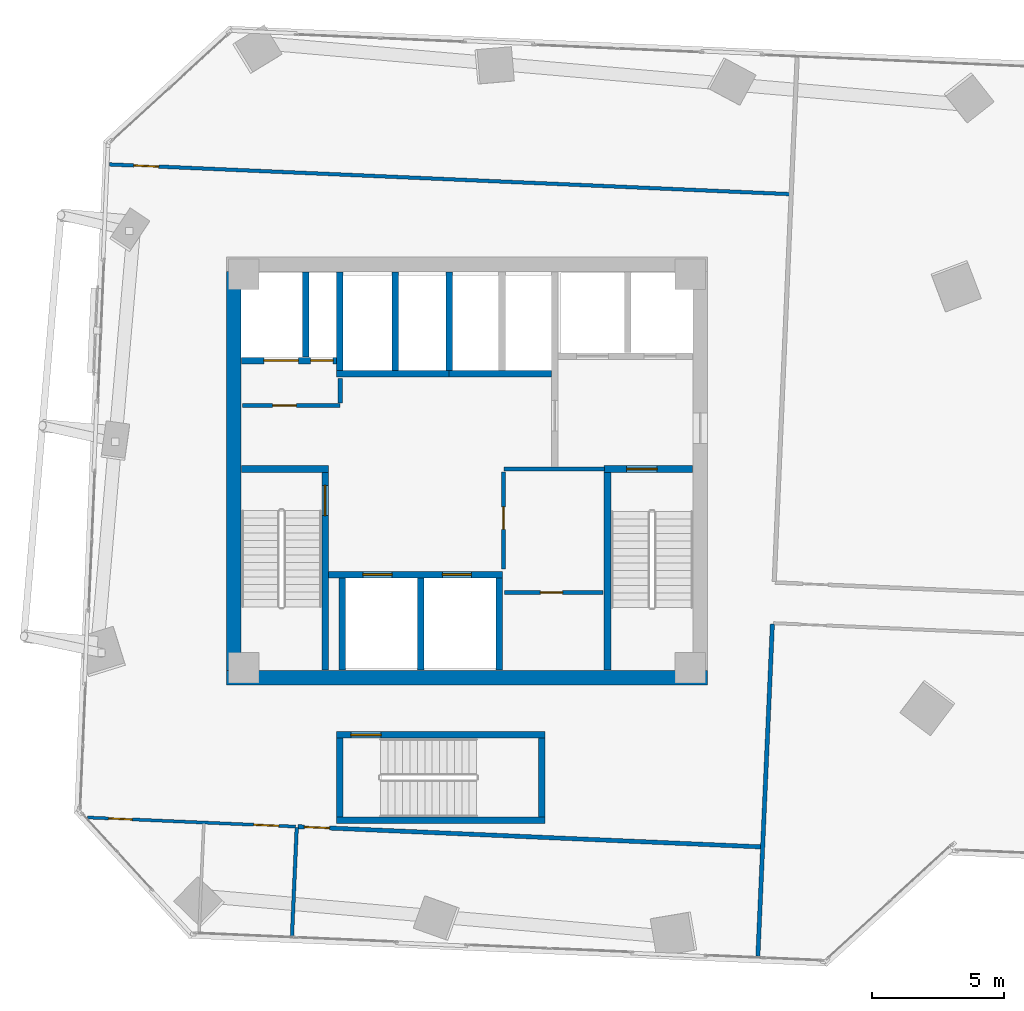
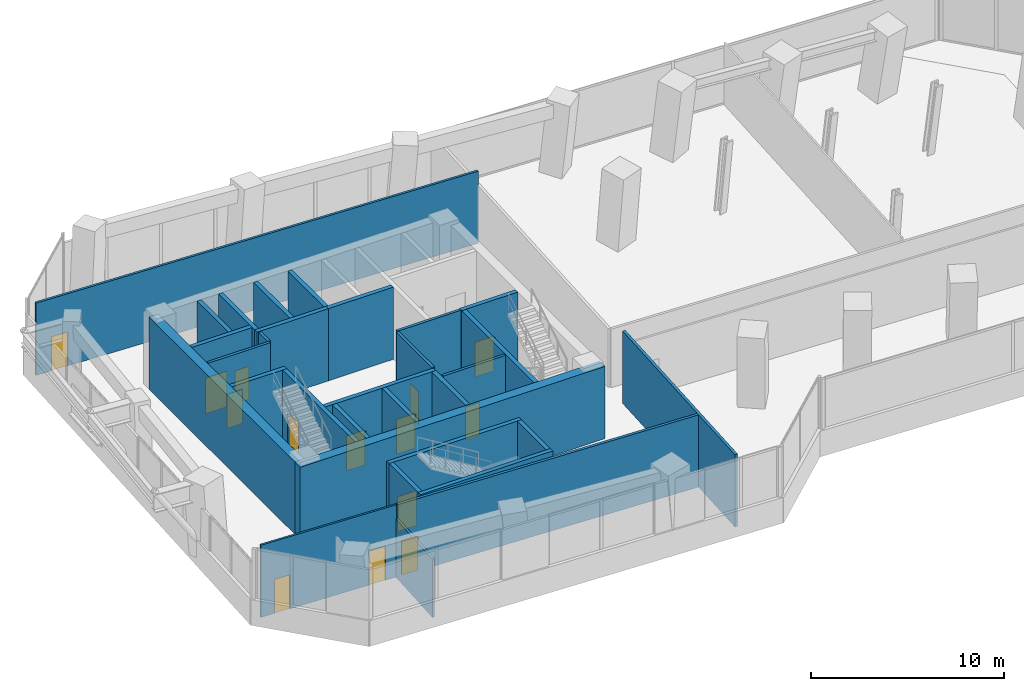
# One storey, part 22 of 26: 31 walls, 14 doors, 14 openings.
"""IFC4 building model written with IfcOpenShell, lengths in metres."""

from ifc_helpers import new_model, si_unit, direction, frame, frame_2d, origin, place, context, subcontext, project, spatial, rectangle, extrude, source, transform, mapped, material, layer, layer_set, type_object, element, fill, save


model = new_model("IFC4")

# Units and contexts
model_context = context("Model", 3, precision=1e-05, world=origin(), true_north=direction((0.0, 1.0)))
body_context = subcontext(model_context, "Body", "Model", "MODEL_VIEW")
ifc_project = project(units=[si_unit("LENGTHUNIT", "METRE"), si_unit("AREAUNIT", "SQUARE_METRE"), si_unit("VOLUMEUNIT", "CUBIC_METRE"), si_unit("PLANEANGLEUNIT", "RADIAN"), si_unit("MASSUNIT", "GRAM", prefix="KILO")], contexts=[model_context])

# Site, building, storey
site_placement = place(None, origin())
site = spatial("IfcSite", under=ifc_project, at=site_placement, CompositionType="ELEMENT")
building_placement = place(site_placement, origin())
building = spatial("IfcBuilding", under=site, at=building_placement, Name="Torre Montelarca", CompositionType="ELEMENT")
storey_placement = place(building_placement, frame((0.0, 0.0, 42.39990234375)))
storey = spatial("IfcBuildingStorey", under=building, at=storey_placement, Name="L09", CompositionType="ELEMENT", Elevation=42.39990234375)

# Wall, opening, door
ifc_material_1 = material(Name="Concrete C40/50", Category="concrete")
ifc_layer_1 = layer(ifc_material_1, 0.25, Name="Concrete C40/50", Category="concrete")
ifc_layer_set_1 = layer_set([ifc_layer_1], Name="Concrete C40/50")
wall_type_1 = type_object("IfcWallType", Name="CW-SHAFT-250", PredefinedType="SHEAR", material=ifc_layer_set_1)
wall_1_placement = place(storey_placement, frame((12.625, 24.4599609375, 0.0), z_axis=(0.0, 0.0, 1.0), x_axis=(0.0, 1.0, 0.0)))
wall_1 = element("IfcWall", 1, at=wall_1_placement, inside=storey, type_object=wall_type_1, Name="L09 Core Shear Wall SH-ST1-E", PredefinedType="SHEAR", context=body_context, shape_type="SweptSolid", body=[
    extrude(rectangle(XDim=7.489990234375, YDim=0.25, at=frame_2d((3.7451171875, 0.0))), origin(), (0.0, 0.0, 1.0), 4.56005859375),
])
opening_1_placement = place(wall_1_placement, frame((5.85009765625, 0.0, 0.0)))
opening_1 = element("IfcOpeningElement", 2, at=opening_1_placement, cuts=wall_1, Name="Opening FD-ST1", PredefinedType="OPENING", context=body_context, shape_type="SweptSolid", body=[
    extrude(rectangle(XDim=1.14990234375, YDim=2.199951171875, at=frame_2d((0.574951171875, 1.10009765625))), frame((0.0, 0.135009765625, 0.0), z_axis=(0.0, -1.0, 0.0), x_axis=(1.0, 0.0, 0.0)), (0.0, 0.0, 1.0), 0.27001953125),
])
ifc_material_2 = material(Name="Galvanized steel fire door", Category="steel")
door_type_1 = type_object("IfcDoorType", Name="DR-STAIR-115", OperationType="NOTDEFINED", PredefinedType="DOOR", material=ifc_material_2)
shared_shape_1 = source(origin(), body_context, "Body", "SweptSolid", [
    extrude(rectangle(XDim=1.14990234375, YDim=2.199951171875, at=frame_2d((0.574951171875, 1.10009765625))), frame((0.0, 0.02490234375, 0.0), z_axis=(0.0, -1.0, 0.0), x_axis=(1.0, 0.0, 0.0)), (0.0, 0.0, 1.0), 0.050048828125),
])
door_1_placement = place(opening_1_placement, origin())
door_1 = element("IfcDoor", 3, at=door_1_placement, inside=storey, type_object=door_type_1, Name="L09 Exit Stair ST1 Fire Door", OperationType="SINGLE_SWING_RIGHT", OverallHeight=2.199951171875, OverallWidth=1.14990234375, PredefinedType="DOOR", context=body_context, shape_type="MappedRepresentation", body=[
    mapped(shared_shape_1, transform((0.0, 0.0, 0.0), scale=1.0)),
])
fill(opening_1, door_1)

# Walls
wall_2_placement = place(storey_placement, frame((9.4599609375, 32.074951171875, 0.0), z_axis=(0.0, 0.0, 1.0), x_axis=(1.0, 0.0, 0.0)))
element("IfcWall", 4, at=wall_2_placement, inside=storey, type_object=wall_type_1, Name="L09 Core Shear Wall SH-ST1-N", PredefinedType="SHEAR", context=body_context, shape_type="SweptSolid", body=[
    extrude(rectangle(XDim=3.2900390625, YDim=0.25, at=frame_2d((1.64501953125, 0.0))), origin(), (0.0, 0.0, 1.0), 4.56005859375),
])
wall_3_placement = place(storey_placement, frame((23.31494140625, 24.4599609375, 0.0), z_axis=(0.0, 0.0, 1.0), x_axis=(0.0, 1.0, 0.0)))
element("IfcWall", 5, at=wall_3_placement, inside=storey, type_object=wall_type_1, Name="L09 Core Shear Wall SH-ST2-W", PredefinedType="SHEAR", context=body_context, shape_type="SweptSolid", body=[
    extrude(rectangle(XDim=7.489990234375, YDim=0.25, at=frame_2d((3.7451171875, 0.0))), origin(), (0.0, 0.0, 1.0), 4.56005859375),
])

# Wall, opening, door
wall_4_placement = place(storey_placement, frame((23.18994140625, 32.074951171875, 0.0), z_axis=(0.0, 0.0, 1.0), x_axis=(1.0, 0.0, 0.0)))
wall_4 = element("IfcWall", 6, at=wall_4_placement, inside=storey, type_object=wall_type_1, Name="L09 Core Shear Wall SH-ST2-N", PredefinedType="SHEAR", context=body_context, shape_type="SweptSolid", body=[
    extrude(rectangle(XDim=3.35009765625, YDim=0.25, at=frame_2d((1.675048828125, 0.0))), origin(), (0.0, 0.0, 1.0), 4.56005859375),
])
opening_2_placement = place(wall_4_placement, frame((0.85009765625, 0.0, 0.0)))
opening_2 = element("IfcOpeningElement", 7, at=opening_2_placement, cuts=wall_4, Name="Opening FD-ST1", PredefinedType="OPENING", context=body_context, shape_type="SweptSolid", body=[
    extrude(rectangle(XDim=1.14990234375, YDim=2.199951171875, at=frame_2d((0.574951171875, 1.10009765625))), frame((0.0, 0.135009765625, 0.0), z_axis=(0.0, -1.0, 0.0), x_axis=(1.0, 0.0, 0.0)), (0.0, 0.0, 1.0), 0.27001953125),
])
door_2_placement = place(opening_2_placement, origin())
door_2 = element("IfcDoor", 8, at=door_2_placement, inside=storey, type_object=door_type_1, Name="L09 Exit Stair ST2 Fire Door", OperationType="SINGLE_SWING_RIGHT", OverallHeight=2.199951171875, OverallWidth=1.14990234375, PredefinedType="DOOR", context=body_context, shape_type="MappedRepresentation", body=[
    mapped(shared_shape_1, transform((0.0, 0.0, 0.0), scale=1.0)),
])
fill(opening_2, door_2)

# Wall, openings, doors
wall_5_placement = place(storey_placement, frame((9.4599609375, 36.179931640625, 0.0), z_axis=(0.0, 0.0, 1.0), x_axis=(1.0, 0.0, 0.0)))
wall_5 = element("IfcWall", 9, at=wall_5_placement, inside=storey, type_object=wall_type_1, Name="L09 Core Shear Wall SH-SV1-S", PredefinedType="SHEAR", context=body_context, shape_type="SweptSolid", body=[
    extrude(rectangle(XDim=3.7900390625, YDim=0.25, at=frame_2d((1.89501953125, 0.0))), origin(), (0.0, 0.0, 1.0), 4.56005859375),
])
opening_3_placement = place(wall_5_placement, frame((2.6201171875, 0.0, 0.0)))
opening_3 = element("IfcOpeningElement", 10, at=opening_3_placement, cuts=wall_5, Name="Opening FD-085", PredefinedType="OPENING", context=body_context, shape_type="SweptSolid", body=[
    extrude(rectangle(XDim=0.85009765625, YDim=2.10009765625, at=frame_2d((0.425048828125, 1.050048828125))), frame((0.0, 0.135009765625, 0.0), z_axis=(0.0, -1.0, 0.0), x_axis=(1.0, 0.0, 0.0)), (0.0, 0.0, 1.0), 0.27001953125),
])
opening_4_placement = place(wall_5_placement, frame((0.85009765625, 0.0, 0.0)))
opening_4 = element("IfcOpeningElement", 11, at=opening_4_placement, cuts=wall_5, Name="Opening LD-130", PredefinedType="OPENING", context=body_context, shape_type="SweptSolid", body=[
    extrude(rectangle(XDim=1.300048828125, YDim=2.25, at=frame_2d((0.64990234375, 1.125))), frame((0.0, 0.135009765625, 0.0), z_axis=(0.0, -1.0, 0.0), x_axis=(1.0, 0.0, 0.0)), (0.0, 0.0, 1.0), 0.27001953125),
])
ifc_material_3 = material(Name="Steel riser access fire door", Category="steel")
door_type_2 = type_object("IfcDoorType", Name="DR-RISER-085", OperationType="NOTDEFINED", PredefinedType="DOOR", material=ifc_material_3)
shared_shape_2 = source(origin(), body_context, "Body", "SweptSolid", [
    extrude(rectangle(XDim=0.85009765625, YDim=2.10009765625, at=frame_2d((0.425048828125, 1.050048828125))), frame((0.0, 0.02490234375, 0.0), z_axis=(0.0, -1.0, 0.0), x_axis=(1.0, 0.0, 0.0)), (0.0, 0.0, 1.0), 0.050048828125),
])
door_3_placement = place(opening_3_placement, origin())
door_3 = element("IfcDoor", 12, at=door_3_placement, inside=storey, type_object=door_type_2, Name="L09 Electrical Riser Shaft Access Door", OperationType="SINGLE_SWING_RIGHT", OverallHeight=2.10009765625, OverallWidth=0.85009765625, PredefinedType="DOOR", context=body_context, shape_type="MappedRepresentation", body=[
    mapped(shared_shape_2, transform((0.0, 0.0, 0.0), scale=1.0)),
])
fill(opening_3, door_3)
ifc_material_4 = material(Name="Brushed stainless steel AISI 316", Category="steel")
door_type_3 = type_object("IfcDoorType", Name="DR-LIFT-130", OperationType="SLIDING_TO_LEFT", PredefinedType="DOOR", material=ifc_material_4)
shared_shape_3 = source(origin(), body_context, "Body", "SweptSolid", [
    extrude(rectangle(XDim=1.300048828125, YDim=2.25, at=frame_2d((0.64990234375, 1.125))), frame((0.0, 0.02490234375, 0.0), z_axis=(0.0, -1.0, 0.0), x_axis=(1.0, 0.0, 0.0)), (0.0, 0.0, 1.0), 0.050048828125),
])
door_4_placement = place(opening_4_placement, origin())
door_4 = element("IfcDoor", 13, at=door_4_placement, inside=storey, type_object=door_type_3, Name="L09 Lift Landing Sliding Door SV-1", OperationType="SLIDING_TO_LEFT", OverallHeight=2.25, OverallWidth=1.300048828125, PredefinedType="DOOR", context=body_context, shape_type="MappedRepresentation", body=[
    mapped(shared_shape_3, transform((0.0, 0.0, 0.0), scale=1.0)),
])
fill(opening_4, door_4)

# Wall
wall_6_placement = place(storey_placement, frame((11.89990234375, 36.31005859375, 0.0), z_axis=(0.0, 0.0, 1.0), x_axis=(0.0, 1.0, 0.0)))
element("IfcWall", 14, at=wall_6_placement, inside=storey, type_object=wall_type_1, Name="L09 Core Shear Wall SH-SV1-E", PredefinedType="SHEAR", context=body_context, shape_type="SweptSolid", body=[
    extrude(rectangle(XDim=3.22998046875, YDim=0.25, at=frame_2d((1.614990234375, 0.0))), origin(), (0.0, 0.0, 1.0), 4.56005859375),
])

# Wall, openings, doors
wall_7_placement = place(storey_placement, frame((12.6298828125, 28.080078125, 0.0), z_axis=(0.0, 0.0, 1.0), x_axis=(1.0, 0.0, 0.0)))
wall_7 = element("IfcWall", 15, at=wall_7_placement, inside=storey, type_object=wall_type_1, Name="L09 Core Shear Wall SH-PLL-N", PredefinedType="SHEAR", context=body_context, shape_type="SweptSolid", body=[
    extrude(rectangle(XDim=6.710205078125, YDim=0.25, at=frame_2d((3.35498046875, 0.0))), origin(), (0.0, 0.0, 1.0), 4.56005859375),
])
opening_5_placement = place(wall_7_placement, frame((1.429931640625, 0.0, 0.0)))
opening_5 = element("IfcOpeningElement", 16, at=opening_5_placement, cuts=wall_7, Name="Opening LD-110", PredefinedType="OPENING", context=body_context, shape_type="SweptSolid", body=[
    extrude(rectangle(XDim=1.10009765625, YDim=2.199951171875, at=frame_2d((0.550048828125, 1.10009765625))), frame((0.0, 0.135009765625, 0.0), z_axis=(0.0, -1.0, 0.0), x_axis=(1.0, 0.0, 0.0)), (0.0, 0.0, 1.0), 0.27001953125),
])
opening_6_placement = place(wall_7_placement, frame((4.429931640625, 0.0, 0.0)))
opening_6 = element("IfcOpeningElement", 17, at=opening_6_placement, cuts=wall_7, Name="Opening LD-110", PredefinedType="OPENING", context=body_context, shape_type="SweptSolid", body=[
    extrude(rectangle(XDim=1.10009765625, YDim=2.199951171875, at=frame_2d((0.550048828125, 1.10009765625))), frame((0.0, 0.135009765625, 0.0), z_axis=(0.0, -1.0, 0.0), x_axis=(1.0, 0.0, 0.0)), (0.0, 0.0, 1.0), 0.27001953125),
])
door_type_4 = type_object("IfcDoorType", Name="DR-LIFT-110", OperationType="SLIDING_TO_LEFT", PredefinedType="DOOR", material=ifc_material_4)
shared_shape_4 = source(origin(), body_context, "Body", "SweptSolid", [
    extrude(rectangle(XDim=1.10009765625, YDim=2.199951171875, at=frame_2d((0.550048828125, 1.10009765625))), frame((0.0, 0.02490234375, 0.0), z_axis=(0.0, -1.0, 0.0), x_axis=(1.0, 0.0, 0.0)), (0.0, 0.0, 1.0), 0.050048828125),
])
door_5_placement = place(opening_5_placement, origin())
door_5 = element("IfcDoor", 18, at=door_5_placement, inside=storey, type_object=door_type_4, Name="L09 Lift Landing Sliding Door PL-L1", OperationType="SLIDING_TO_LEFT", OverallHeight=2.199951171875, OverallWidth=1.10009765625, PredefinedType="DOOR", context=body_context, shape_type="MappedRepresentation", body=[
    mapped(shared_shape_4, transform((0.0, 0.0, 0.0), scale=1.0)),
])
fill(opening_5, door_5)
door_6_placement = place(opening_6_placement, origin())
door_6 = element("IfcDoor", 19, at=door_6_placement, inside=storey, type_object=door_type_4, Name="L09 Lift Landing Sliding Door PL-L2", OperationType="SLIDING_TO_RIGHT", OverallHeight=2.199951171875, OverallWidth=1.10009765625, PredefinedType="DOOR", context=body_context, shape_type="MappedRepresentation", body=[
    mapped(shared_shape_4, transform((0.0, 0.0, 0.0), scale=1.0)),
])
fill(opening_6, door_6)

# Walls
for number, where, z_axis, x_axis, name in (
    (20, (13.280029296875, 24.4599609375, 0.0), (0.0, 0.0, 1.0), (0.0, 1.0, 0.0), "L09 Core Shear Wall SH-PLL-W"),
    (21, (16.25, 24.4599609375, 0.0), (0.0, 0.0, 1.0), (0.0, 1.0, 0.0), "L09 Core Shear Wall SH-PLL-M"),
    (22, (19.219970703125, 24.4599609375, 0.0), (0.0, 0.0, 1.0), (0.0, 1.0, 0.0), "L09 Core Shear Wall SH-PLL-E"),
):
    element("IfcWall", number, at=place(storey_placement, frame(where, z_axis=z_axis, x_axis=x_axis)), inside=storey, type_object=wall_type_1, Name=name, PredefinedType="SHEAR", context=body_context, shape_type="SweptSolid", body=[
        extrude(rectangle(XDim=3.489990234375, YDim=0.25, at=frame_2d((1.7451171875, 0.0))), origin(), (0.0, 0.0, 1.0), 4.56005859375),
    ])
wall_8_placement = place(storey_placement, frame((13.06005859375, 35.679931640625, 0.0), z_axis=(0.0, 0.0, 1.0), x_axis=(1.0, 0.0, 0.0)))
element("IfcWall", 23, at=wall_8_placement, inside=storey, type_object=wall_type_1, Name="L09 Core Shear Wall SH-PLM-S", PredefinedType="SHEAR", context=body_context, shape_type="SweptSolid", body=[
    extrude(rectangle(XDim=4.25, YDim=0.25, at=frame_2d((2.125, 0.0))), origin(), (0.0, 0.0, 1.0), 4.56005859375),
])
for number, where, z_axis, x_axis, name in (
    (24, (13.179931640625, 35.81005859375, 0.0), (0.0, 0.0, 1.0), (0.0, 1.0, 0.0), "L09 Core Shear Wall SH-PLM-W"),
    (25, (15.280029296875, 35.81005859375, 0.0), (0.0, 0.0, 1.0), (0.0, 1.0, 0.0), "L09 Core Shear Wall SH-PLM-M"),
):
    element("IfcWall", number, at=place(storey_placement, frame(where, z_axis=z_axis, x_axis=x_axis)), inside=storey, type_object=wall_type_1, Name=name, PredefinedType="SHEAR", context=body_context, shape_type="SweptSolid", body=[
        extrude(rectangle(XDim=3.72998046875, YDim=0.25, at=frame_2d((1.864990234375, 0.0))), origin(), (0.0, 0.0, 1.0), 4.56005859375),
    ])
wall_9_placement = place(storey_placement, frame((17.320068359375, 35.679931640625, 0.0), z_axis=(0.0, 0.0, 1.0), x_axis=(1.0, 0.0, 0.0)))
element("IfcWall", 26, at=wall_9_placement, inside=storey, type_object=wall_type_1, Name="L09 Core Shear Wall SH-PLH-S", PredefinedType="SHEAR", context=body_context, shape_type="SweptSolid", body=[
    extrude(rectangle(XDim=3.869873046875, YDim=0.25, at=frame_2d((1.93505859375, 0.0))), origin(), (0.0, 0.0, 1.0), 4.56005859375),
])
wall_10_placement = place(storey_placement, frame((17.320068359375, 35.81005859375, 0.0), z_axis=(0.0, 0.0, 1.0), x_axis=(0.0, 1.0, 0.0)))
element("IfcWall", 27, at=wall_10_placement, inside=storey, type_object=wall_type_1, Name="L09 Core Shear Wall SH-PLH-W", PredefinedType="SHEAR", context=body_context, shape_type="SweptSolid", body=[
    extrude(rectangle(XDim=3.72998046875, YDim=0.25, at=frame_2d((1.864990234375, 0.0))), origin(), (0.0, 0.0, 1.0), 4.56005859375),
])
for number, where, z_axis, x_axis, name in (
    (28, (13.175048828125, 18.89990234375, 0.0), (0.0, 0.0, 1.0), (0.0, 1.0, 0.0), "L09 Core Shear Wall SH-ST3-W"),
    (29, (20.824951171875, 18.89990234375, 0.0), (0.0, 0.0, 1.0), (0.0, 1.0, 0.0), "L09 Core Shear Wall SH-ST3-E"),
):
    element("IfcWall", number, at=place(storey_placement, frame(where, z_axis=z_axis, x_axis=x_axis)), inside=storey, type_object=wall_type_1, Name=name, PredefinedType="SHEAR", context=body_context, shape_type="SweptSolid", body=[
        extrude(rectangle(XDim=2.989990234375, YDim=0.25, at=frame_2d((1.4951171875, 0.0))), origin(), (0.0, 0.0, 1.0), 4.56005859375),
    ])
wall_11_placement = place(storey_placement, frame((13.050048828125, 18.77490234375, 0.0), z_axis=(0.0, 0.0, 1.0), x_axis=(1.0, 0.0, 0.0)))
element("IfcWall", 30, at=wall_11_placement, inside=storey, type_object=wall_type_1, Name="L09 Core Shear Wall SH-ST3-S", PredefinedType="SHEAR", context=body_context, shape_type="SweptSolid", body=[
    extrude(rectangle(XDim=7.89990234375, YDim=0.25, at=frame_2d((3.949951171875, 0.0))), origin(), (0.0, 0.0, 1.0), 4.56005859375),
])

# Wall, opening, door
wall_12_placement = place(storey_placement, frame((13.050048828125, 22.014892578125, 0.0), z_axis=(0.0, 0.0, 1.0), x_axis=(1.0, 0.0, 0.0)))
wall_12 = element("IfcWall", 31, at=wall_12_placement, inside=storey, type_object=wall_type_1, Name="L09 Core Shear Wall SH-ST3-N", PredefinedType="SHEAR", context=body_context, shape_type="SweptSolid", body=[
    extrude(rectangle(XDim=7.89990234375, YDim=0.25, at=frame_2d((3.949951171875, 0.0))), origin(), (0.0, 0.0, 1.0), 4.56005859375),
])
opening_7_placement = place(wall_12_placement, frame((0.550048828125, 0.0, 0.0)))
opening_7 = element("IfcOpeningElement", 32, at=opening_7_placement, cuts=wall_12, Name="Opening FD-ST1", PredefinedType="OPENING", context=body_context, shape_type="SweptSolid", body=[
    extrude(rectangle(XDim=1.14990234375, YDim=2.199951171875, at=frame_2d((0.574951171875, 1.10009765625))), frame((0.0, 0.135009765625, 0.0), z_axis=(0.0, -1.0, 0.0), x_axis=(1.0, 0.0, 0.0)), (0.0, 0.0, 1.0), 0.27001953125),
])
door_7_placement = place(opening_7_placement, origin())
door_7 = element("IfcDoor", 33, at=door_7_placement, inside=storey, type_object=door_type_1, Name="L09 Exit Stair ST3 Fire Door", OperationType="SINGLE_SWING_LEFT", OverallHeight=2.199951171875, OverallWidth=1.14990234375, PredefinedType="DOOR", context=body_context, shape_type="MappedRepresentation", body=[
    mapped(shared_shape_1, transform((0.0, 0.0, 0.0), scale=1.0)),
])
fill(opening_7, door_7)

# Walls
ifc_material_5 = material(Name="Concrete C70/85", Category="concrete")
ifc_layer_2 = layer(ifc_material_5, 0.550048828125, Name="Concrete C70/85", Category="concrete")
ifc_layer_set_2 = layer_set([ifc_layer_2], Name="Concrete C70/85")
wall_type_2 = type_object("IfcWallType", Name="CW-SHEAR-550", PredefinedType="SHEAR", material=ifc_layer_set_2)
wall_13_placement = place(storey_placement, frame((9.175048828125, 24.449951171875, 0.0), z_axis=(0.0, 0.0, 1.0), x_axis=(0.0, 1.0, 0.0)))
element("IfcWall", 34, at=wall_13_placement, inside=storey, type_object=wall_type_2, Name="L09 Core Shear Wall CW-W", PredefinedType="SHEAR", context=body_context, shape_type="SweptSolid", body=[
    extrude(rectangle(XDim=15.10009765625, YDim=0.550048828125, at=frame_2d((7.550048828125, 0.0))), origin(), (0.0, 0.0, 1.0), 4.56005859375),
])
wall_14_placement = place(storey_placement, frame((8.89990234375, 24.175048828125, 0.0), z_axis=(0.0, 0.0, 1.0), x_axis=(1.0, 0.0, 0.0)))
element("IfcWall", 35, at=wall_14_placement, inside=storey, type_object=wall_type_2, Name="L09 Core Shear Wall CW-S1", PredefinedType="SHEAR", context=body_context, shape_type="SweptSolid", body=[
    extrude(rectangle(XDim=18.2001953125, YDim=0.550048828125, at=frame_2d((9.10009765625, 0.0))), origin(), (0.0, 0.0, 1.0), 4.56005859375),
])

# Wall, opening, door
ifc_material_6 = material(Name="Gypsum plasterboard on steel stud", Category="steel")
ifc_layer_3 = layer(ifc_material_6, 0.159912109375, Name="Gypsum plasterboard on steel stud", Category="steel")
ifc_layer_set_3 = layer_set([ifc_layer_3], Name="Gypsum plasterboard on steel stud")
wall_type_3 = type_object("IfcWallType", Name="PW-FIRE-160", PredefinedType="PARTITIONING", material=ifc_layer_set_3)
wall_15_placement = place(storey_placement, frame((9.489990234375, 34.47998046875, 0.0), z_axis=(0.0, 0.0, 1.0), x_axis=(1.0, 0.0, 0.0)))
wall_15 = element("IfcWall", 36, at=wall_15_placement, inside=storey, type_object=wall_type_3, Name="L09 Interior Partition CW-L09-SVS", PredefinedType="PARTITIONING", context=body_context, shape_type="SweptSolid", body=[
    extrude(rectangle(XDim=3.699951171875, YDim=0.159912109375, at=frame_2d((1.85009765625, 0.0))), origin(), (0.0, 0.0, 1.0), 4.56005859375),
])
opening_8_placement = place(wall_15_placement, frame((1.14990234375, 0.0, 0.0)))
opening_8 = element("IfcOpeningElement", 37, at=opening_8_placement, cuts=wall_15, Name="Opening FD-090", PredefinedType="OPENING", context=body_context, shape_type="SweptSolid", body=[
    extrude(rectangle(XDim=0.89990234375, YDim=2.14990234375, at=frame_2d((0.449951171875, 1.074951171875))), frame((0.0, 0.08984375, 0.0), z_axis=(0.0, -1.0, 0.0), x_axis=(1.0, 0.0, 0.0)), (0.0, 0.0, 1.0), 0.179931640625),
])
ifc_material_7 = material(Name="Steel service fire door", Category="steel")
door_type_5 = type_object("IfcDoorType", Name="DR-FIRE-090", OperationType="NOTDEFINED", PredefinedType="DOOR", material=ifc_material_7)
shared_shape_5 = source(origin(), body_context, "Body", "SweptSolid", [
    extrude(rectangle(XDim=0.89990234375, YDim=2.14990234375, at=frame_2d((0.449951171875, 1.074951171875))), frame((0.0, 0.02490234375, 0.0), z_axis=(0.0, -1.0, 0.0), x_axis=(1.0, 0.0, 0.0)), (0.0, 0.0, 1.0), 0.050048828125),
])
door_8_placement = place(opening_8_placement, origin())
door_8 = element("IfcDoor", 38, at=door_8_placement, inside=storey, type_object=door_type_5, Name="L09 Interior Door 01", OperationType="SINGLE_SWING_RIGHT", OverallHeight=2.14990234375, OverallWidth=0.89990234375, PredefinedType="DOOR", context=body_context, shape_type="MappedRepresentation", body=[
    mapped(shared_shape_5, transform((0.0, 0.0, 0.0), scale=1.0)),
])
fill(opening_8, door_8)

# Walls
wall_16_placement = place(storey_placement, frame((13.199951171875, 34.570068359375, 0.0), z_axis=(0.0, 0.0, 1.0), x_axis=(0.0, 1.0, 0.0)))
element("IfcWall", 39, at=wall_16_placement, inside=storey, type_object=wall_type_3, Name="L09 Interior Partition CW-L09-SVE", PredefinedType="PARTITIONING", context=body_context, shape_type="SweptSolid", body=[
    extrude(rectangle(XDim=0.93994140625, YDim=0.159912109375, at=frame_2d((0.469970703125, 0.0))), origin(), (0.0, 0.0, 1.0), 4.56005859375),
])
wall_17_placement = place(storey_placement, frame((19.389892578125, 32.080078125, 0.0), z_axis=(0.0, 0.0, 1.0), x_axis=(1.0, 0.0, 0.0)))
element("IfcWall", 40, at=wall_17_placement, inside=storey, type_object=wall_type_3, Name="L09 Interior Partition CW-L09-SEN", PredefinedType="PARTITIONING", context=body_context, shape_type="SweptSolid", body=[
    extrude(rectangle(XDim=3.820068359375, YDim=0.159912109375, at=frame_2d((1.91015625, 0.0))), origin(), (0.0, 0.0, 1.0), 4.56005859375),
])

# Wall, opening, door
wall_18_placement = place(storey_placement, frame((19.3798828125, 28.2900390625, 0.0), z_axis=(0.0, 0.0, 1.0), x_axis=(0.0, 1.0, 0.0)))
wall_18 = element("IfcWall", 41, at=wall_18_placement, inside=storey, type_object=wall_type_3, Name="L09 Interior Partition CW-L09-SEW", PredefinedType="PARTITIONING", context=body_context, shape_type="SweptSolid", body=[
    extrude(rectangle(XDim=3.669921875, YDim=0.159912109375, at=frame_2d((1.8349609375, 0.0))), origin(), (0.0, 0.0, 1.0), 4.56005859375),
])
opening_9_placement = place(wall_18_placement, frame((1.5, 0.0, 0.0)))
opening_9 = element("IfcOpeningElement", 42, at=opening_9_placement, cuts=wall_18, Name="Opening FD-085", PredefinedType="OPENING", context=body_context, shape_type="SweptSolid", body=[
    extrude(rectangle(XDim=0.85009765625, YDim=2.10009765625, at=frame_2d((0.425048828125, 1.050048828125))), frame((0.0, 0.08984375, 0.0), z_axis=(0.0, -1.0, 0.0), x_axis=(1.0, 0.0, 0.0)), (0.0, 0.0, 1.0), 0.179931640625),
])
door_9_placement = place(opening_9_placement, origin())
door_9 = element("IfcDoor", 43, at=door_9_placement, inside=storey, type_object=door_type_2, Name="L09 Interior Door 03", OperationType="SINGLE_SWING_RIGHT", OverallHeight=2.10009765625, OverallWidth=0.85009765625, PredefinedType="DOOR", context=body_context, shape_type="MappedRepresentation", body=[
    mapped(shared_shape_2, transform((0.0, 0.0, 0.0), scale=1.0)),
])
fill(opening_9, door_9)

wall_19_placement = place(storey_placement, frame((19.419921875, 27.39990234375, 0.0), z_axis=(0.0, 0.0, 1.0), x_axis=(1.0, 0.0, 0.0)))
wall_19 = element("IfcWall", 44, at=wall_19_placement, inside=storey, type_object=wall_type_3, Name="L09 Interior Partition CW-L09-SEM1", PredefinedType="PARTITIONING", context=body_context, shape_type="SweptSolid", body=[
    extrude(rectangle(XDim=3.719970703125, YDim=0.159912109375, at=frame_2d((1.85986328125, 0.0))), origin(), (0.0, 0.0, 1.0), 4.56005859375),
])
opening_10_placement = place(wall_19_placement, frame((1.35009765625, 0.0, 0.0)))
opening_10 = element("IfcOpeningElement", 45, at=opening_10_placement, cuts=wall_19, Name="Opening FD-085", PredefinedType="OPENING", context=body_context, shape_type="SweptSolid", body=[
    extrude(rectangle(XDim=0.85009765625, YDim=2.10009765625, at=frame_2d((0.425048828125, 1.050048828125))), frame((0.0, 0.08984375, 0.0), z_axis=(0.0, -1.0, 0.0), x_axis=(1.0, 0.0, 0.0)), (0.0, 0.0, 1.0), 0.179931640625),
])
door_10_placement = place(opening_10_placement, origin())
door_10 = element("IfcDoor", 46, at=door_10_placement, inside=storey, type_object=door_type_2, Name="L09 Interior Door 02", OperationType="SINGLE_SWING_LEFT", OverallHeight=2.10009765625, OverallWidth=0.85009765625, PredefinedType="DOOR", context=body_context, shape_type="MappedRepresentation", body=[
    mapped(shared_shape_2, transform((0.0, 0.0, 0.0), scale=1.0)),
])
fill(opening_10, door_10)

wall_20_placement = place(storey_placement, frame((11.593505859375, 18.539306640625, 0.0), z_axis=(0.0, 0.0, 1.0), x_axis=(0.999048303008, -0.043617522367, 0.0)))
wall_20 = element("IfcWall", 47, at=wall_20_placement, inside=storey, type_object=wall_type_3, Name="L09 Interior Partition W-L09-SOCCN", PredefinedType="PARTITIONING", context=body_context, shape_type="SweptSolid", body=[
    extrude(rectangle(XDim=17.56982421875, YDim=0.159912109375, at=frame_2d((8.784912109375, 0.0))), origin(), (0.0, 0.0, 1.0), 4.56005859375),
])
opening_11_placement = place(wall_20_placement, frame((0.25, 0.0, 0.0)))
opening_11 = element("IfcOpeningElement", 48, at=opening_11_placement, cuts=wall_20, Name="Opening FD-095", PredefinedType="OPENING", context=body_context, shape_type="SweptSolid", body=[
    extrude(rectangle(XDim=0.949951171875, YDim=2.14990234375, at=frame_2d((0.47509765625, 1.074951171875))), frame((0.0, 0.08984375, 0.0), z_axis=(0.0, -1.0, 0.0), x_axis=(1.0, 0.0, 0.0)), (0.0, 0.0, 1.0), 0.179931640625),
])
ifc_material_8 = material(Name="Timber fire-rated room door", Category="wood")
door_type_6 = type_object("IfcDoorType", Name="DR-FIRE-095", OperationType="NOTDEFINED", PredefinedType="DOOR", material=ifc_material_8)
shared_shape_6 = source(origin(), body_context, "Body", "SweptSolid", [
    extrude(rectangle(XDim=0.949951171875, YDim=2.14990234375, at=frame_2d((0.47509765625, 1.074951171875))), frame((0.0, 0.02490234375, 0.0), z_axis=(0.0, -1.0, 0.0), x_axis=(1.0, 0.0, 0.0)), (0.0, 0.0, 1.0), 0.050048828125),
])
door_11_placement = place(opening_11_placement, origin())
door_11 = element("IfcDoor", 49, at=door_11_placement, inside=storey, type_object=door_type_6, Name="L09 Interior Door 06", OperationType="SINGLE_SWING_RIGHT", OverallHeight=2.14990234375, OverallWidth=0.949951171875, PredefinedType="DOOR", context=body_context, shape_type="MappedRepresentation", body=[
    mapped(shared_shape_6, transform((0.0, 0.0, 0.0), scale=1.0)),
])
fill(opening_11, door_11)

# Wall
wall_21_placement = place(storey_placement, frame((29.006103515625, 13.635009765625, 0.0), z_axis=(0.0, 0.0, 1.0), x_axis=(0.043626715414, 0.999047901605, 0.0)))
element("IfcWall", 50, at=wall_21_placement, inside=storey, type_object=wall_type_3, Name="L09 Interior Partition W-L09-ECS", PredefinedType="PARTITIONING", context=body_context, shape_type="SweptSolid", body=[
    extrude(rectangle(XDim=12.580078125, YDim=0.159912109375, at=frame_2d((6.2900390625, 0.0))), origin(), (0.0, 0.0, 1.0), 4.56005859375),
])

# Wall, openings, doors
ifc_layer_4 = layer(ifc_material_6, 0.114990234375, Name="Gypsum plasterboard on steel stud", Category="steel")
ifc_layer_set_4 = layer_set([ifc_layer_4], Name="Gypsum plasterboard on steel stud")
wall_type_4 = type_object("IfcWallType", Name="PW-PART-115", PredefinedType="PARTITIONING", material=ifc_layer_set_4)
wall_22_placement = place(storey_placement, frame((3.62890625, 18.88720703125, 0.0), z_axis=(0.0, 0.0, 1.0), x_axis=(0.999046913697, -0.043649332566, 0.0)))
wall_22 = element("IfcWall", 51, at=wall_22_placement, inside=storey, type_object=wall_type_4, Name="L09 Interior Partition W-L09-WCN", PredefinedType="PARTITIONING", context=body_context, shape_type="SweptSolid", body=[
    extrude(rectangle(XDim=7.89208984375, YDim=0.114990234375, at=frame_2d((3.946044921875, 0.0))), origin(), (0.0, 0.0, 1.0), 4.56005859375),
])
opening_12_placement = place(wall_22_placement, frame((0.800048828125, 0.0, 0.0)))
opening_12 = element("IfcOpeningElement", 52, at=opening_12_placement, cuts=wall_22, Name="Opening ID-090", PredefinedType="OPENING", context=body_context, shape_type="SweptSolid", body=[
    extrude(rectangle(XDim=0.89990234375, YDim=2.14990234375, at=frame_2d((0.449951171875, 1.074951171875))), frame((0.0, 0.0673828125, 0.0), z_axis=(0.0, -1.0, 0.0), x_axis=(1.0, 0.0, 0.0)), (0.0, 0.0, 1.0), 0.135009765625),
])
opening_13_placement = place(wall_22_placement, frame((6.300048828125, 0.0, 0.0)))
opening_13 = element("IfcOpeningElement", 53, at=opening_13_placement, cuts=wall_22, Name="Opening ID-095", PredefinedType="OPENING", context=body_context, shape_type="SweptSolid", body=[
    extrude(rectangle(XDim=0.949951171875, YDim=2.14990234375, at=frame_2d((0.47509765625, 1.074951171875))), frame((0.0, 0.0673828125, 0.0), z_axis=(0.0, -1.0, 0.0), x_axis=(1.0, 0.0, 0.0)), (0.0, 0.0, 1.0), 0.135009765625),
])
ifc_material_9 = material(Name="Hardwood acoustic timber veneer", Category="wood")
door_type_7 = type_object("IfcDoorType", Name="DR-INT-090", OperationType="NOTDEFINED", PredefinedType="DOOR", material=ifc_material_9)
shared_shape_7 = source(origin(), body_context, "Body", "SweptSolid", [
    extrude(rectangle(XDim=0.89990234375, YDim=2.14990234375, at=frame_2d((0.449951171875, 1.074951171875))), frame((0.0, 0.02490234375, 0.0), z_axis=(0.0, -1.0, 0.0), x_axis=(1.0, 0.0, 0.0)), (0.0, 0.0, 1.0), 0.050048828125),
])
door_12_placement = place(opening_12_placement, origin())
door_12 = element("IfcDoor", 54, at=door_12_placement, inside=storey, type_object=door_type_7, Name="L09 Interior Door 04", OperationType="SINGLE_SWING_LEFT", OverallHeight=2.14990234375, OverallWidth=0.89990234375, PredefinedType="DOOR", context=body_context, shape_type="MappedRepresentation", body=[
    mapped(shared_shape_7, transform((0.0, 0.0, 0.0), scale=1.0)),
])
fill(opening_12, door_12)
door_type_8 = type_object("IfcDoorType", Name="DR-INT-095", OperationType="NOTDEFINED", PredefinedType="DOOR", material=ifc_material_9)
shared_shape_8 = source(origin(), body_context, "Body", "SweptSolid", [
    extrude(rectangle(XDim=0.949951171875, YDim=2.14990234375, at=frame_2d((0.47509765625, 1.074951171875))), frame((0.0, 0.02490234375, 0.0), z_axis=(0.0, -1.0, 0.0), x_axis=(1.0, 0.0, 0.0)), (0.0, 0.0, 1.0), 0.050048828125),
])
door_13_placement = place(opening_13_placement, origin())
door_13 = element("IfcDoor", 55, at=door_13_placement, inside=storey, type_object=door_type_8, Name="L09 Interior Door 05", OperationType="SINGLE_SWING_RIGHT", OverallHeight=2.14990234375, OverallWidth=0.949951171875, PredefinedType="DOOR", context=body_context, shape_type="MappedRepresentation", body=[
    mapped(shared_shape_8, transform((0.0, 0.0, 0.0), scale=1.0)),
])
fill(opening_13, door_13)

# Wall
ifc_layer_5 = layer(ifc_material_6, 0.135009765625, Name="Gypsum plasterboard on steel stud", Category="steel")
ifc_layer_set_5 = layer_set([ifc_layer_5], Name="Gypsum plasterboard on steel stud")
wall_type_5 = type_object("IfcWallType", Name="PW-PART-135", PredefinedType="PARTITIONING", material=ifc_layer_set_5)
wall_23_placement = place(storey_placement, frame((11.372802734375, 14.405029296875, 0.0), z_axis=(0.0, 0.0, 1.0), x_axis=(0.04364652983, 0.999047036147, 0.0)))
element("IfcWall", 56, at=wall_23_placement, inside=storey, type_object=wall_type_5, Name="L09 Interior Partition W-L09-SWCDIV", PredefinedType="PARTITIONING", context=body_context, shape_type="SweptSolid", body=[
    extrude(rectangle(XDim=4.10009765625, YDim=0.135009765625, at=frame_2d((2.050048828125, 0.0))), origin(), (0.0, 0.0, 1.0), 3.695068359375),
])

# Wall, opening, door
wall_24_placement = place(storey_placement, frame((4.469970703125, 43.60400390625, 0.0), z_axis=(0.0, 0.0, 1.0), x_axis=(0.999047795436, -0.04362914662, 0.0)))
wall_24 = element("IfcWall", 57, at=wall_24_placement, inside=storey, type_object=wall_type_5, Name="L09 Interior Partition W-L09-NBOT", PredefinedType="PARTITIONING", context=body_context, shape_type="SweptSolid", body=[
    extrude(rectangle(XDim=25.780029296875, YDim=0.135009765625, at=frame_2d((12.89013671875, 0.0))), origin(), (0.0, 0.0, 1.0), 4.56005859375),
])
opening_14_placement = place(wall_24_placement, frame((0.909912109375, 0.0, 0.0)))
opening_14 = element("IfcOpeningElement", 58, at=opening_14_placement, cuts=wall_24, Name="Opening ID-095", PredefinedType="OPENING", context=body_context, shape_type="SweptSolid", body=[
    extrude(rectangle(XDim=0.949951171875, YDim=2.14990234375, at=frame_2d((0.47509765625, 1.074951171875))), frame((0.0, 0.07763671875, 0.0), z_axis=(0.0, -1.0, 0.0), x_axis=(1.0, 0.0, 0.0)), (0.0, 0.0, 1.0), 0.155029296875),
])
door_14_placement = place(opening_14_placement, origin())
door_14 = element("IfcDoor", 59, at=door_14_placement, inside=storey, type_object=door_type_8, Name="L09 Interior Door 07", OperationType="SINGLE_SWING_LEFT", OverallHeight=2.14990234375, OverallWidth=0.949951171875, PredefinedType="DOOR", context=body_context, shape_type="MappedRepresentation", body=[
    mapped(shared_shape_8, transform((0.0, 0.0, 0.0), scale=1.0)),
])
fill(opening_14, door_14)

save(model, "model.ifc")
